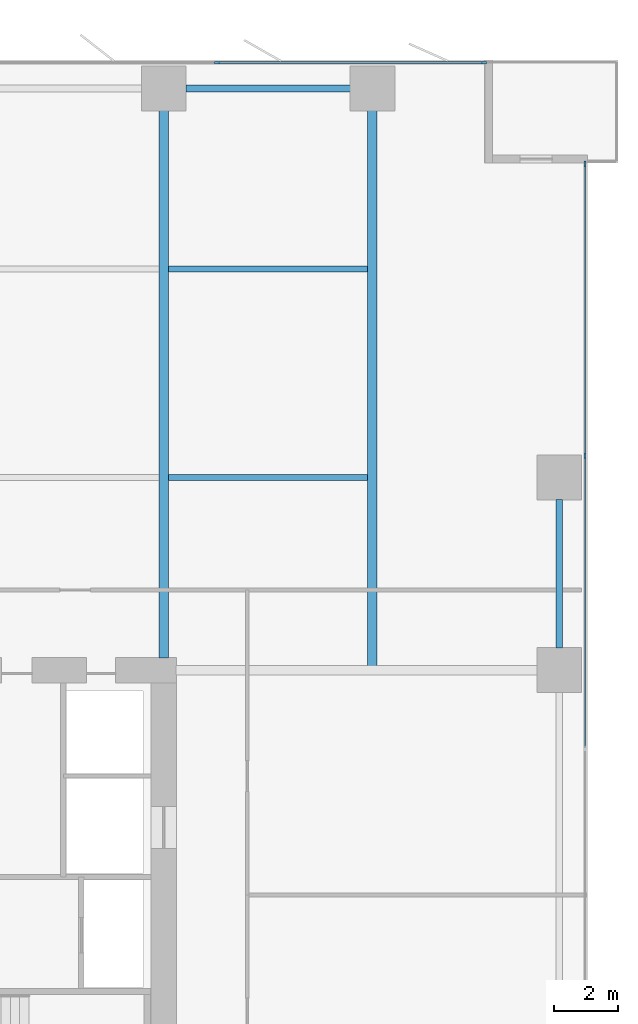
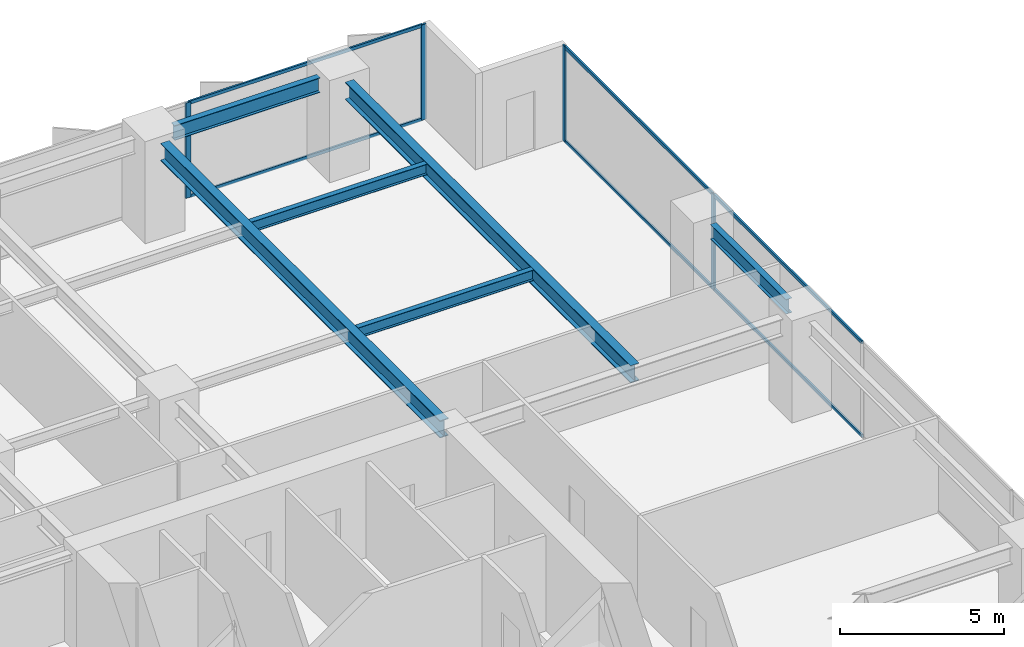
# One storey, part 11 of 20: 10 members, 6 beams, 2 elements without a shape of their own.
"""IFC4 building model written with IfcOpenShell, lengths in metres."""

from ifc_helpers import new_model, si_unit, direction, frame, origin, origin_2d, place, context, subcontext, project, spatial, rectangle, i_section, extrude, material, layer, layer_set, material_profile, profile_set, type_object, element, aggregate, save


model = new_model("IFC4")

# Units and contexts
model_context = context("Model", 3, precision=1e-05, world=origin(), true_north=direction((0.0, 1.0)))
body_context = subcontext(model_context, "Body", "Model", "MODEL_VIEW")
ifc_project = project(units=[si_unit("LENGTHUNIT", "METRE"), si_unit("AREAUNIT", "SQUARE_METRE"), si_unit("VOLUMEUNIT", "CUBIC_METRE"), si_unit("PLANEANGLEUNIT", "RADIAN"), si_unit("MASSUNIT", "GRAM", prefix="KILO")], contexts=[model_context])

# Site, building, storey
site_placement = place(None, origin())
site = spatial("IfcSite", under=ifc_project, at=site_placement, CompositionType="ELEMENT")
building_placement = place(site_placement, origin())
building = spatial("IfcBuilding", under=site, at=building_placement, Name="Putna Gate Headquarters", CompositionType="ELEMENT")
storey_placement = place(building_placement, frame((0.0, 0.0, 65.800048828125)))
storey = spatial("IfcBuildingStorey", under=building, at=storey_placement, Name="L15", CompositionType="ELEMENT", Elevation=65.800048828125)

# Beams
ifc_material_1 = material(Name="Steel S355J2", Category="steel")
ifc_material_profile_1 = material_profile(ifc_material_1, i_section(OverallWidth=0.300048828125, OverallDepth=0.64990234375, WebThickness=0.01611328125, FlangeThickness=0.031005859375, at=origin_2d()), Name="Steel S355J2")
ifc_profile_set_1 = profile_set([ifc_material_profile_1], Name="Steel S355J2")
beam_type_1 = type_object("IfcBeamType", Name="BM-GIRD-Z1-HEB650", PredefinedType="USERDEFINED", material=ifc_profile_set_1)
beam_1_placement = place(storey_placement, frame((65.0, 33.385009765625, 3.224853515625), z_axis=(0.0, 1.0, 0.0), x_axis=(-1.0, 0.0, 0.0)))
element("IfcBeam", 1, at=beam_1_placement, inside=storey, type_object=beam_type_1, Name="L15 North Primary Girder X65", ObjectType="GIRDER", PredefinedType="USERDEFINED", context=body_context, shape_type="SweptSolid", body=[
    extrude(i_section(OverallWidth=0.300048828125, OverallDepth=0.64990234375, WebThickness=0.01611328125, FlangeThickness=0.031005859375, at=origin_2d()), origin(), (0.0, 0.0, 1.0), 17.046875),
])
beam_2_placement = place(storey_placement, frame((71.5, 33.011962890625, 3.224853515625), z_axis=(0.0, 1.0, 0.0), x_axis=(-1.0, 0.0, 0.0)))
element("IfcBeam", 2, at=beam_2_placement, inside=storey, type_object=beam_type_1, Name="L15 North Primary Girder X71", ObjectType="GIRDER", PredefinedType="USERDEFINED", context=body_context, shape_type="SweptSolid", body=[
    extrude(i_section(OverallWidth=0.300048828125, OverallDepth=0.64990234375, WebThickness=0.01611328125, FlangeThickness=0.031005859375, at=origin_2d()), origin(), (0.0, 0.0, 1.0), 17.419921875),
])
ifc_material_profile_2 = material_profile(ifc_material_1, i_section(OverallWidth=0.179931640625, OverallDepth=0.39990234375, WebThickness=0.008544921875, FlangeThickness=0.013427734375, at=origin_2d()), Name="Steel S355J2")
ifc_profile_set_2 = profile_set([ifc_material_profile_2], Name="Steel S355J2")
beam_type_2 = type_object("IfcBeamType", Name="BM-SEC-Z1-IPE400", PredefinedType="BEAM", material=ifc_profile_set_2)
for number, where, z_axis, x_axis, name in (
    (3, (65.154052734375, 39.0, 3.349853515625), (1.0, 0.0, 0.0), (0.0, 1.0, 0.0), "L15 North Secondary Beam 10"),
    (4, (65.154052734375, 45.5, 3.349853515625), (1.0, 0.0, 0.0), (0.0, 1.0, 0.0), "L15 North Secondary Beam 10"),
):
    element("IfcBeam", number, at=place(storey_placement, frame(where, z_axis=z_axis, x_axis=x_axis)), inside=storey, type_object=beam_type_2, Name=name, PredefinedType="BEAM", context=body_context, shape_type="SweptSolid", body=[
        extrude(i_section(OverallWidth=0.179931640625, OverallDepth=0.39990234375, WebThickness=0.008544921875, FlangeThickness=0.013427734375, at=origin_2d()), origin(), (0.0, 0.0, 1.0), 6.19189453125),
    ])
ifc_material_profile_3 = material_profile(ifc_material_1, i_section(OverallWidth=0.2099609375, OverallDepth=0.550048828125, WebThickness=0.010986328125, FlangeThickness=0.01708984375, at=origin_2d()), Name="Steel S355J2")
ifc_profile_set_3 = profile_set([ifc_material_profile_3], Name="Steel S355J2")
beam_type_3 = type_object("IfcBeamType", Name="BM-SPAN-Z1-IPE550", PredefinedType="SPANDREL", material=ifc_profile_set_3)
beam_3_placement = place(storey_placement, frame((65.68798828125, 51.1201171875, 3.27490234375), z_axis=(1.0, 0.0, 0.0), x_axis=(0.0, 1.0, 0.0)))
element("IfcBeam", 5, at=beam_3_placement, inside=storey, type_object=beam_type_3, Name="L15 N Perimeter Spandrel 10", PredefinedType="SPANDREL", context=body_context, shape_type="SweptSolid", body=[
    extrude(i_section(OverallWidth=0.2099609375, OverallDepth=0.550048828125, WebThickness=0.010986328125, FlangeThickness=0.01708984375, at=origin_2d()), origin(), (0.0, 0.0, 1.0), 5.1240234375),
])
beam_4_placement = place(storey_placement, frame((77.320068359375, 33.68798828125, 3.27490234375), z_axis=(0.0, 1.0, 0.0), x_axis=(-1.0, 0.0, 0.0)))
element("IfcBeam", 6, at=beam_4_placement, inside=storey, type_object=beam_type_3, Name="L15 E End Spandrel 3", PredefinedType="SPANDREL", context=body_context, shape_type="SweptSolid", body=[
    extrude(i_section(OverallWidth=0.2099609375, OverallDepth=0.550048828125, WebThickness=0.010986328125, FlangeThickness=0.01708984375, at=origin_2d()), origin(), (0.0, 0.0, 1.0), 4.6240234375),
])

# Curtain wall, members
ifc_material_2 = material(Name="Anodised bronze aluminium curtain wall", Category="aluminium")
ifc_layer = layer(ifc_material_2, 0.179931640625)
ifc_layer_set = layer_set([ifc_layer], Name="Anodised bronze aluminium curtain wall")
curtain_wall_type = type_object("IfcCurtainWallType", Name="CW-SYS-Z1", PredefinedType="USERDEFINED", material=ifc_layer_set)
curtain_wall_1_placement = place(storey_placement, origin())
curtain_wall_1 = element("IfcCurtainWall", 7, at=curtain_wall_1_placement, inside=storey, type_object=curtain_wall_type, Name="L15 North East Curtain Wall", ObjectType="STICK CURTAIN WALL", PredefinedType="USERDEFINED")
ifc_material_3 = material(Name="Anodised bronze aluminium EN AW-6060", Category="aluminium")
ifc_material_profile_4 = material_profile(ifc_material_3, rectangle(XDim=0.070068359375, YDim=0.179931640625, at=origin_2d()), Name="Anodised bronze aluminium EN AW-6060")
ifc_profile_set_4 = profile_set([ifc_material_profile_4], Name="Anodised bronze aluminium EN AW-6060")
member_type_1 = type_object("IfcMemberType", Name="MULL-CWM-1", PredefinedType="MULLION", material=ifc_profile_set_4)
member_1_placement = place(storey_placement, frame((66.666748046875, 51.919921875, 0.0), z_axis=(0.0, 0.0, 1.0), x_axis=(0.0, 1.0, 0.0)))
member_1 = element("IfcMember", 8, at=member_1_placement, type_object=member_type_1, Name="CWS-1 mullion 3", PredefinedType="MULLION", context=body_context, shape_type="SweptSolid", body=[
    extrude(rectangle(XDim=0.070068359375, YDim=0.179931640625, at=origin_2d()), origin(), (0.0, 0.0, 1.0), 3.550048828125),
])
member_2_placement = place(storey_placement, frame((74.965087890625, 51.919921875, 0.0), z_axis=(0.0, 0.0, 1.0), x_axis=(0.0, 1.0, 0.0)))
member_2 = element("IfcMember", 9, at=member_2_placement, type_object=member_type_1, Name="CWS-1 mullion 4", PredefinedType="MULLION", context=body_context, shape_type="SweptSolid", body=[
    extrude(rectangle(XDim=0.070068359375, YDim=0.179931640625, at=origin_2d()), origin(), (0.0, 0.0, 1.0), 3.550048828125),
])

curtain_wall_2_placement = place(storey_placement, origin())
curtain_wall_2 = element("IfcCurtainWall", 10, at=curtain_wall_2_placement, inside=storey, type_object=curtain_wall_type, Name="L15 East Curtain Wall", ObjectType="STICK CURTAIN WALL", PredefinedType="USERDEFINED")
member_3_placement = place(storey_placement, frame((78.1201171875, 39.679931640625, 0.0), z_axis=(0.0, 0.0, 1.0), x_axis=(-1.0, 0.0, 0.0)))
member_3 = element("IfcMember", 11, at=member_3_placement, type_object=member_type_1, Name="CWS-1 mullion 5", PredefinedType="MULLION", context=body_context, shape_type="SweptSolid", body=[
    extrude(rectangle(XDim=0.070068359375, YDim=0.179931640625, at=origin_2d()), origin(), (0.0, 0.0, 1.0), 3.550048828125),
])
member_4_placement = place(storey_placement, frame((78.1201171875, 48.764892578125, 0.0), z_axis=(0.0, 0.0, 1.0), x_axis=(-1.0, 0.0, 0.0)))
member_4 = element("IfcMember", 12, at=member_4_placement, type_object=member_type_1, Name="CWS-1 mullion 6", PredefinedType="MULLION", context=body_context, shape_type="SweptSolid", body=[
    extrude(rectangle(XDim=0.070068359375, YDim=0.179931640625, at=origin_2d()), origin(), (0.0, 0.0, 1.0), 3.550048828125),
])

# Member
ifc_material_profile_5 = material_profile(ifc_material_3, rectangle(XDim=0.06494140625, YDim=0.1201171875, at=origin_2d()), Name="Anodised bronze aluminium EN AW-6060")
ifc_profile_set_5 = profile_set([ifc_material_profile_5], Name="Anodised bronze aluminium EN AW-6060")
member_type_2 = type_object("IfcMemberType", Name="TRAN-CWT-1", PredefinedType="USERDEFINED", material=ifc_profile_set_5)
member_5_placement = place(storey_placement, frame((66.70166015625, 51.919921875, 0.032470703125), z_axis=(1.0, 0.0, 0.0), x_axis=(0.0, 1.0, 0.0)))
member_5 = element("IfcMember", 13, at=member_5_placement, type_object=member_type_2, Name="CWS-1 transom 3.1", ObjectType="TRANSOM", PredefinedType="USERDEFINED", context=body_context, shape_type="SweptSolid", body=[
    extrude(rectangle(XDim=0.06494140625, YDim=0.1201171875, at=origin_2d()), origin(), (0.0, 0.0, 1.0), 8.228271484375),
])

member_6_placement = place(storey_placement, frame((66.70166015625, 51.919921875, 3.517333984375), z_axis=(1.0, 0.0, 0.0), x_axis=(0.0, 1.0, 0.0)))
member_6 = element("IfcMember", 14, at=member_6_placement, type_object=member_type_2, Name="CWS-1 transom 3.2", ObjectType="TRANSOM", PredefinedType="USERDEFINED", context=body_context, shape_type="SweptSolid", body=[
    extrude(rectangle(XDim=0.06494140625, YDim=0.1201171875, at=origin_2d()), origin(), (0.0, 0.0, 1.0), 8.228271484375),
])

aggregate(curtain_wall_1, [member_1, member_2, member_5, member_6])

member_7_placement = place(storey_placement, frame((78.1201171875, 30.594970703125, 0.032470703125), z_axis=(0.0, 1.0, 0.0), x_axis=(-1.0, 0.0, 0.0)))
member_7 = element("IfcMember", 15, at=member_7_placement, type_object=member_type_2, Name="CWS-1 transom 4.1", ObjectType="TRANSOM", PredefinedType="USERDEFINED", context=body_context, shape_type="SweptSolid", body=[
    extrude(rectangle(XDim=0.06494140625, YDim=0.1201171875, at=origin_2d()), origin(), (0.0, 0.0, 1.0), 9.050048828125),
])

member_8_placement = place(storey_placement, frame((78.1201171875, 30.594970703125, 3.517333984375), z_axis=(0.0, 1.0, 0.0), x_axis=(-1.0, 0.0, 0.0)))
member_8 = element("IfcMember", 16, at=member_8_placement, type_object=member_type_2, Name="CWS-1 transom 4.2", ObjectType="TRANSOM", PredefinedType="USERDEFINED", context=body_context, shape_type="SweptSolid", body=[
    extrude(rectangle(XDim=0.06494140625, YDim=0.1201171875, at=origin_2d()), origin(), (0.0, 0.0, 1.0), 9.050048828125),
])

member_9_placement = place(storey_placement, frame((78.1201171875, 39.715087890625, 0.032470703125), z_axis=(0.0, 1.0, 0.0), x_axis=(-1.0, 0.0, 0.0)))
member_9 = element("IfcMember", 17, at=member_9_placement, type_object=member_type_2, Name="CWS-1 transom 5.1", ObjectType="TRANSOM", PredefinedType="USERDEFINED", context=body_context, shape_type="SweptSolid", body=[
    extrude(rectangle(XDim=0.06494140625, YDim=0.1201171875, at=origin_2d()), origin(), (0.0, 0.0, 1.0), 9.014892578125),
])

member_10_placement = place(storey_placement, frame((78.1201171875, 39.715087890625, 3.517333984375), z_axis=(0.0, 1.0, 0.0), x_axis=(-1.0, 0.0, 0.0)))
member_10 = element("IfcMember", 18, at=member_10_placement, type_object=member_type_2, Name="CWS-1 transom 5.2", ObjectType="TRANSOM", PredefinedType="USERDEFINED", context=body_context, shape_type="SweptSolid", body=[
    extrude(rectangle(XDim=0.06494140625, YDim=0.1201171875, at=origin_2d()), origin(), (0.0, 0.0, 1.0), 9.014892578125),
])

aggregate(curtain_wall_2, [member_3, member_4, member_7, member_8, member_9, member_10])

save(model, "model.ifc")
